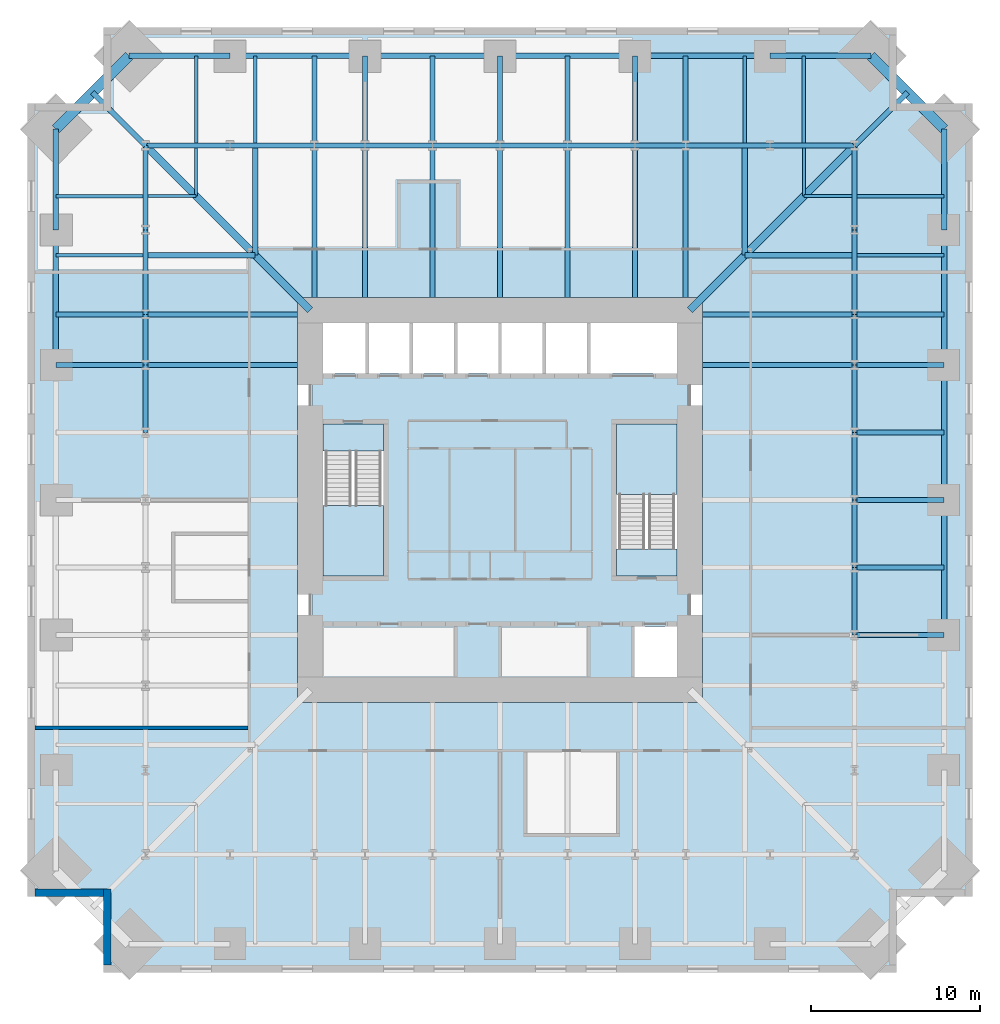
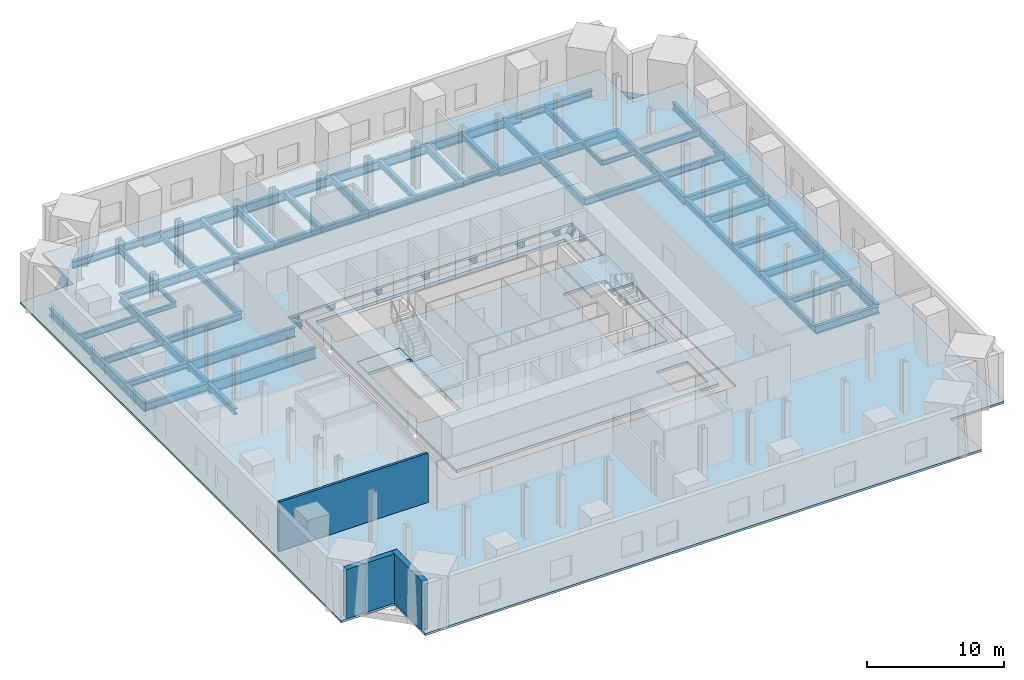
# One storey, part 2 of 8: 81 beams, 6 slabs, 3 walls, 2 elements without a shape of their own.
"""IFC4 building model written with IfcOpenShell, lengths in metres."""

import ifcopenshell
import ifcopenshell.guid

model = None  # the IFC model being written
_history = None  # IfcOwnerHistory: only IFC2X3 demands one
_inside = {}  # id of a spatial element -> (the spatial element, [elements in it])
_under = {}  # id of a project, library or spatial element -> (it, [spatial elements below it])
_declared = {}  # id of a project -> (the project, [libraries it declares])
_typed = {}  # id of a type object -> (the type object, [elements of that type])
_made_of = {}  # id of a material, layer set ... -> (it, [elements and type objects made of it])


def new_model(schema):
    """Start an empty IFC model of exactly this schema.

    Asked for "IFC4X3", IfcOpenShell would pick the latest addendum, in which some entities
    have other attributes; the version numbers below select the first issue.
    IFC2X3 requires an IfcOwnerHistory on every rooted entity: one is made here for all.
    """
    global model, _history
    if schema == "IFC4X3":
        model = ifcopenshell.file(schema_version=(4, 3, 0, 0))
    else:
        model = ifcopenshell.file(schema=schema)
    _inside.clear()
    _under.clear()
    _declared.clear()
    _typed.clear()
    _made_of.clear()
    _history = None
    if model.schema == "IFC2X3":
        org = make("IfcOrganization", Name="unknown")
        user = make(
            "IfcPersonAndOrganization",
            ThePerson=make("IfcPerson", FamilyName="unknown"),
            TheOrganization=org,
        )
        app = make(
            "IfcApplication",
            ApplicationDeveloper=org,
            Version="unknown",
            ApplicationFullName="unknown",
            ApplicationIdentifier="unknown",
        )
        _history = make(
            "IfcOwnerHistory",
            OwningUser=user,
            OwningApplication=app,
            ChangeAction="ADDED",
            CreationDate=0,
        )
    return model


def make(cls, **values):
    """One entity of the class cls with the attributes given. An attribute that is None is left unset."""
    return model.create_entity(
        cls, **{name: value for name, value in values.items() if value is not None}
    )


def rooted(cls, **values):
    """An entity with a GlobalId (a new one), such as an element, a storey or a relation."""
    return make(cls, GlobalId=ifcopenshell.guid.new(), OwnerHistory=_history, **values)


def si_unit(unit_type, name, prefix=None):
    """IfcSIUnit, for example si_unit("LENGTHUNIT", "METRE", prefix="MILLI")."""
    return make("IfcSIUnit", UnitType=unit_type, Prefix=prefix, Name=name)


def assignment(units):
    """IfcUnitAssignment: the units of a project."""
    return None if units is None else make("IfcUnitAssignment", Units=units)


def point(xyz):
    """IfcCartesianPoint."""
    return None if xyz is None else make("IfcCartesianPoint", Coordinates=xyz)


def direction(xyz):
    """IfcDirection."""
    return None if xyz is None else make("IfcDirection", DirectionRatios=xyz)


def frame(location, z_axis=None, x_axis=None):
    """IfcAxis2Placement3D, a coordinate frame: its origin and axes. An axis left out is left unset."""
    return make(
        "IfcAxis2Placement3D",
        Location=point(location),
        Axis=direction(z_axis),
        RefDirection=direction(x_axis),
    )


def frame_2d(location, x_axis=None):
    """IfcAxis2Placement2D, a coordinate frame in the plane: its origin and x axis."""
    return make(
        "IfcAxis2Placement2D", Location=point(location), RefDirection=direction(x_axis)
    )


def origin():
    """The frame at (0, 0, 0) with its axes left unset."""
    return frame((0.0, 0.0, 0.0))


def origin_2d():
    """The frame at (0, 0) in the plane with its x axis left unset."""
    return frame_2d((0.0, 0.0))


def place(relative_to, where):
    """IfcLocalPlacement: puts the frame where relative to a parent placement (None: the world)."""
    return make(
        "IfcLocalPlacement", PlacementRelTo=relative_to, RelativePlacement=where
    )


def context(
    kind, dimensions, precision=None, world=None, true_north=None, identifier=None
):
    """IfcGeometricRepresentationContext, for example the 3D "Model" context."""
    return make(
        "IfcGeometricRepresentationContext",
        ContextIdentifier=identifier,
        ContextType=kind,
        CoordinateSpaceDimension=dimensions,
        Precision=precision,
        WorldCoordinateSystem=world,
        TrueNorth=true_north,
    )


def subcontext(parent, identifier, kind, view, scale=None):
    """IfcGeometricRepresentationSubContext, for example "Body" below "Model"."""
    return make(
        "IfcGeometricRepresentationSubContext",
        ContextIdentifier=identifier,
        ContextType=kind,
        ParentContext=parent,
        TargetScale=scale,
        TargetView=view,
    )


def project(units=None, contexts=None):
    """IfcProject with its units and contexts."""
    return rooted(
        "IfcProject",
        Name="project",
        RepresentationContexts=contexts,
        UnitsInContext=assignment(units),
    )


def spatial(cls, under=None, at=None, **own):
    """A site, building, storey or space (cls), placed at a placement, below another one or the project."""
    s = rooted(cls, ObjectPlacement=at, **own)
    if under is not None:
        _under.setdefault(under.id(), (under, []))[1].append(s)
    return s


def polyline(points):
    """IfcPolyline through the points."""
    return make("IfcPolyline", Points=[point(p) for p in points])


def profile(cls, at=None, kind="AREA", **sizes):
    """A parametric profile (cls). Its sizes go by their IFC names, for example OverallWidth=200.0."""
    return make(cls, ProfileType=kind, Position=at, **sizes)


def rectangle(**sizes):
    """IfcRectangleProfileDef."""
    return profile("IfcRectangleProfileDef", **sizes)


def hollow_rectangle(**sizes):
    """IfcRectangleHollowProfileDef."""
    return profile("IfcRectangleHollowProfileDef", **sizes)


def i_section(**sizes):
    """IfcIShapeProfileDef."""
    return profile("IfcIShapeProfileDef", **sizes)


def outline(outer, holes=None, kind="AREA"):
    """IfcArbitraryClosedProfileDef: a profile drawn as a closed curve; with holes, ...WithVoids."""
    if holes is None:
        return make("IfcArbitraryClosedProfileDef", ProfileType=kind, OuterCurve=outer)
    return make(
        "IfcArbitraryProfileDefWithVoids",
        ProfileType=kind,
        OuterCurve=outer,
        InnerCurves=holes,
    )


def extrude(swept, where, along, depth):
    """IfcExtrudedAreaSolid: the profile swept, set in the frame where, extruded along a direction by depth."""
    return make(
        "IfcExtrudedAreaSolid",
        SweptArea=swept,
        Position=where,
        ExtrudedDirection=direction(along),
        Depth=depth,
    )


def shape(context_of_items, identifier, shape_type, items):
    """IfcShapeRepresentation: the items that make up one representation, for example the "Body"."""
    return make(
        "IfcShapeRepresentation",
        ContextOfItems=context_of_items,
        RepresentationIdentifier=identifier,
        RepresentationType=shape_type,
        Items=items,
    )


def material(Name=None, Category=None):
    """IfcMaterial."""
    return make("IfcMaterial", Name=Name, Category=Category)


def layer(
    of_material, thickness, ventilated=None, Name=None, Category=None, Priority=None
):
    """IfcMaterialLayer: one layer of a wall or slab, of a material (None: an air gap)."""
    return make(
        "IfcMaterialLayer",
        Material=of_material,
        LayerThickness=thickness,
        IsVentilated=ventilated,
        Name=Name,
        Category=Category,
        Priority=Priority,
    )


def layer_set(layers, Name=None):
    """IfcMaterialLayerSet."""
    return make("IfcMaterialLayerSet", MaterialLayers=layers, LayerSetName=Name)


def material_profile(
    of_material, cross_section, Name=None, Category=None, Priority=None
):
    """IfcMaterialProfile: a cross section and its material."""
    return make(
        "IfcMaterialProfile",
        Name=Name,
        Material=of_material,
        Profile=cross_section,
        Priority=Priority,
        Category=Category,
    )


def profile_set(profiles, Name=None, composite=None):
    """IfcMaterialProfileSet."""
    return make(
        "IfcMaterialProfileSet",
        Name=Name,
        MaterialProfiles=profiles,
        CompositeProfile=composite,
    )


def made_of(thing, what):
    """Note that an element or type object is made of a material, layer set ...; save() writes the relation."""
    if what is not None:
        _made_of.setdefault(what.id(), (what, []))[1].append(thing)
    return thing


def type_object(cls, material=None, **own):
    """A type object (cls), such as IfcWallType, which elements share."""
    return made_of(rooted(cls, **own), material)


def element(
    cls,
    number,
    at=None,
    inside=None,
    cuts=None,
    type_object=None,
    material=None,
    context=None,
    identifier="Body",
    shape_type=None,
    held_by="IfcProductDefinitionShape",
    body=None,
    shapes=None,
    **own,
):
    """One element of the class cls, such as IfcWall. Its Tag is "e" and its number.

    at: its placement. inside: the storey or other place that contains it. cuts: it is an
    opening in that element (IfcRelVoidsElement). A single representation is given by context,
    identifier, shape_type and body (its items); several are given by shapes. held_by: the class
    of the entity that holds the representations. save() writes the other relations.
    """
    e = rooted(cls, Tag="e%d" % number, ObjectPlacement=at, **own)
    if body is not None:
        shapes = [shape(context, identifier, shape_type, body)]
    if shapes is not None:
        e.Representation = make(held_by, Representations=shapes)
    if inside is not None:
        _inside.setdefault(inside.id(), (inside, []))[1].append(e)
    if cuts is not None:
        rooted(
            "IfcRelVoidsElement", RelatingBuildingElement=cuts, RelatedOpeningElement=e
        )
    if type_object is not None:
        _typed.setdefault(type_object.id(), (type_object, []))[1].append(e)
    return made_of(e, material)


def aggregate(whole, parts):
    """IfcRelAggregates: a whole, such as a stair, and the parts it consists of."""
    return rooted("IfcRelAggregates", RelatingObject=whole, RelatedObjects=parts)


def save(model, path):
    """Write the relations noted so far, then the file.

    IfcRelAggregates (storeys below a building ...), IfcRelContainedInSpatialStructure (elements
    in a storey), IfcRelDefinesByType, IfcRelAssociatesMaterial and IfcRelDeclares: one each for
    every whole, place, type object, material and project.
    """
    for whole, parts in _under.values():
        aggregate(whole, parts)
    for where, things in _inside.values():
        rooted(
            "IfcRelContainedInSpatialStructure",
            RelatedElements=things,
            RelatingStructure=where,
        )
    for kind, things in _typed.values():
        rooted("IfcRelDefinesByType", RelatedObjects=things, RelatingType=kind)
    for what, things in _made_of.values():
        rooted("IfcRelAssociatesMaterial", RelatedObjects=things, RelatingMaterial=what)
    for by, libraries in _declared.values():
        rooted("IfcRelDeclares", RelatingContext=by, RelatedDefinitions=libraries)
    model.write(path)


model = new_model("IFC4")

# Units and contexts
model_context = context("Model", 3, precision=1e-05, world=origin(), true_north=direction((0.0, 1.0)))
body_context = subcontext(model_context, "Body", "Model", "MODEL_VIEW")
ifc_project = project(units=[si_unit("LENGTHUNIT", "METRE"), si_unit("AREAUNIT", "SQUARE_METRE"), si_unit("VOLUMEUNIT", "CUBIC_METRE"), si_unit("PLANEANGLEUNIT", "RADIAN"), si_unit("MASSUNIT", "GRAM", prefix="KILO")], contexts=[model_context])

# Site, building, storey
site_placement = place(None, origin())
site = spatial("IfcSite", under=ifc_project, at=site_placement, CompositionType="ELEMENT")
building_placement = place(site_placement, origin())
building = spatial("IfcBuilding", under=site, at=building_placement, Name="Peilmerk Tower", CompositionType="ELEMENT")
storey_placement = place(building_placement, frame((0.0, 0.0, 113.60009765625)))
storey = spatial("IfcBuildingStorey", under=building, at=storey_placement, Name="L22", CompositionType="ELEMENT", Elevation=113.60009765625)

# Beams
ifc_material_1 = material(Name="Steel S355", Category="steel")
ifc_material_profile_1 = material_profile(ifc_material_1, i_section(OverallWidth=0.219970703125, OverallDepth=0.60009765625, WebThickness=0.011962890625, FlangeThickness=0.01904296875, at=origin_2d()), Name="IPE 600")
ifc_profile_set_1 = profile_set([ifc_material_profile_1], Name="Steel S355")
beam_type_1 = type_object("IfcBeamType", Name="B10 IPE 600 floor beam", PredefinedType="BEAM", material=ifc_profile_set_1)
for number, where, z_axis, x_axis, name in (
    (1, (14.5, 21.152099609375, -0.5), (0.0, 1.0, 0.0), (-1.0, 0.0, 0.0), "Floor beam L22"),
    (2, (21.152099609375, 14.5, -0.5), (1.0, 0.0, 0.0), (0.0, 1.0, 0.0), "Floor beam L22"),
    (3, (18.0, 21.152099609375, -0.5), (0.0, 1.0, 0.0), (-1.0, 0.0, 0.0), "Floor beam L22"),
    (4, (21.152099609375, 18.0, -0.5), (1.0, 0.0, 0.0), (0.0, 1.0, 0.0), "Floor beam L22"),
    (5, (-14.5, 21.152099609375, -0.5), (0.0, 1.0, 0.0), (-1.0, 0.0, 0.0), "Floor beam L22"),
    (6, (-21.152099609375, 14.5, -0.5), (-1.0, 0.0, 0.0), (0.0, -1.0, 0.0), "Floor beam L22"),
    (7, (-18.0, 21.152099609375, -0.5), (0.0, 1.0, 0.0), (-1.0, 0.0, 0.0), "Floor beam L22"),
    (8, (-21.152099609375, 18.0, -0.5), (-1.0, 0.0, 0.0), (0.0, -1.0, 0.0), "Floor beam L22"),
):
    element("IfcBeam", number, at=place(storey_placement, frame(where, z_axis=z_axis, x_axis=x_axis)), inside=storey, type_object=beam_type_1, Name=name, PredefinedType="BEAM", context=body_context, shape_type="SweptSolid", body=[
        extrude(i_section(OverallWidth=0.219970703125, OverallDepth=0.60009765625, WebThickness=0.011962890625, FlangeThickness=0.01904296875, at=origin_2d()), origin(), (0.0, 0.0, 1.0), 5.1640625),
    ])
ifc_material_profile_2 = material_profile(ifc_material_1, i_section(OverallWidth=0.302978515625, OverallDepth=0.81396484375, WebThickness=0.02099609375, FlangeThickness=0.0400390625, at=origin_2d()), Name="HEM 800")
ifc_profile_set_2 = profile_set([ifc_material_profile_2], Name="Steel S355")
beam_type_2 = type_object("IfcBeamType", Name="B15 HEM 800 edge beam", PredefinedType="SPANDREL", material=ifc_profile_set_2)
for number, where, z_axis, x_axis, name in (
    (9, (16.0, 26.316162109375, -0.607177734375), (-1.0, 0.0, 0.0), (0.0, -1.0, 0.0), "Edge beam L22"),
    (10, (8.0, 26.316162109375, -0.607177734375), (-1.0, 0.0, 0.0), (0.0, -1.0, 0.0), "Edge beam L22"),
    (11, (0.0, 26.316162109375, -0.607177734375), (-1.0, 0.0, 0.0), (0.0, -1.0, 0.0), "Edge beam L22"),
    (12, (-8.0, 26.316162109375, -0.607177734375), (-1.0, 0.0, 0.0), (0.0, -1.0, 0.0), "Edge beam L22"),
    (13, (26.316162109375, -8.0, -0.607177734375), (0.0, 1.0, 0.0), (-1.0, 0.0, 0.0), "Edge beam L22"),
    (14, (26.316162109375, 0.0, -0.607177734375), (0.0, 1.0, 0.0), (-1.0, 0.0, 0.0), "Edge beam L22"),
    (15, (26.316162109375, 8.0, -0.607177734375), (0.0, 1.0, 0.0), (-1.0, 0.0, 0.0), "Edge beam L22"),
    (16, (-26.316162109375, 16.0, -0.607177734375), (0.0, -1.0, 0.0), (1.0, 0.0, 0.0), "Edge beam L22"),
):
    element("IfcBeam", number, at=place(storey_placement, frame(where, z_axis=z_axis, x_axis=x_axis)), inside=storey, type_object=beam_type_2, Name=name, PredefinedType="SPANDREL", context=body_context, shape_type="SweptSolid", body=[
        extrude(i_section(OverallWidth=0.302978515625, OverallDepth=0.81396484375, WebThickness=0.02099609375, FlangeThickness=0.0400390625, at=origin_2d()), origin(), (0.0, 0.0, 1.0), 8.0),
    ])
ifc_material_profile_3 = material_profile(ifc_material_1, i_section(OverallWidth=0.300048828125, OverallDepth=0.68994140625, WebThickness=0.014404296875, FlangeThickness=0.027099609375, at=origin_2d()), Name="HEA 700")
ifc_profile_set_3 = profile_set([ifc_material_profile_3], Name="Steel S355")
beam_type_3 = type_object("IfcBeamType", Name="B16 HEA 700 floor beam", PredefinedType="BEAM", material=ifc_profile_set_3)
for number, where, z_axis, x_axis, name in (
    (17, (8.0, 21.0, -0.545166015625), (0.0, 1.0, 0.0), (-1.0, 0.0, 0.0), "Floor girder L22"),
    (18, (0.0, 21.0, -0.545166015625), (0.0, 1.0, 0.0), (-1.0, 0.0, 0.0), "Floor girder L22"),
    (19, (-8.0, 21.0, -0.545166015625), (0.0, 1.0, 0.0), (-1.0, 0.0, 0.0), "Floor girder L22"),
    (20, (21.0, -8.0, -0.545166015625), (1.0, 0.0, 0.0), (0.0, 1.0, 0.0), "Floor girder L22"),
    (21, (21.0, 0.0, -0.545166015625), (1.0, 0.0, 0.0), (0.0, 1.0, 0.0), "Floor girder L22"),
    (22, (21.0, 8.0, -0.545166015625), (1.0, 0.0, 0.0), (0.0, 1.0, 0.0), "Floor girder L22"),
    (23, (-21.0, 8.0, -0.545166015625), (-1.0, 0.0, 0.0), (0.0, -1.0, 0.0), "Floor girder L22"),
):
    element("IfcBeam", number, at=place(storey_placement, frame(where, z_axis=z_axis, x_axis=x_axis)), inside=storey, type_object=beam_type_3, Name=name, PredefinedType="BEAM", context=body_context, shape_type="SweptSolid", body=[
        extrude(i_section(OverallWidth=0.300048828125, OverallDepth=0.68994140625, WebThickness=0.014404296875, FlangeThickness=0.027099609375, at=origin_2d()), origin(), (0.0, 0.0, 1.0), 5.316162109375),
    ])
ifc_material_profile_4 = material_profile(ifc_material_1, i_section(OverallWidth=0.303955078125, OverallDepth=0.716064453125, WebThickness=0.02099609375, FlangeThickness=0.0400390625, at=origin_2d()), Name="HEM 700")
ifc_profile_set_4 = profile_set([ifc_material_profile_4], Name="Steel S355")
beam_type_4 = type_object("IfcBeamType", Name="B19 HEM 700 ring girder", PredefinedType="BEAM", material=ifc_profile_set_4)
for number, where, z_axis, x_axis, name in (
    (24, (21.0, 21.0, -0.55810546875), (-1.0, 0.0, 0.0), (0.0, -1.0, 0.0), "Ring girder L22"),
    (25, (16.0, 21.0, -0.55810546875), (-1.0, 0.0, 0.0), (0.0, -1.0, 0.0), "Ring girder L22"),
    (26, (-11.0, 21.0, -0.55810546875), (-1.0, 0.0, 0.0), (0.0, -1.0, 0.0), "Ring girder L22"),
    (27, (-16.0, 21.0, -0.55810546875), (-1.0, 0.0, 0.0), (0.0, -1.0, 0.0), "Ring girder L22"),
    (28, (21.0, 11.0, -0.55810546875), (0.0, 1.0, 0.0), (-1.0, 0.0, 0.0), "Ring girder L22"),
    (29, (21.0, 16.0, -0.55810546875), (0.0, 1.0, 0.0), (-1.0, 0.0, 0.0), "Ring girder L22"),
    (30, (-21.0, 21.0, -0.55810546875), (0.0, -1.0, 0.0), (1.0, 0.0, 0.0), "Ring girder L22"),
    (31, (-21.0, 16.0, -0.55810546875), (0.0, -1.0, 0.0), (1.0, 0.0, 0.0), "Ring girder L22"),
):
    element("IfcBeam", number, at=place(storey_placement, frame(where, z_axis=z_axis, x_axis=x_axis)), inside=storey, type_object=beam_type_4, Name=name, PredefinedType="BEAM", context=body_context, shape_type="SweptSolid", body=[
        extrude(i_section(OverallWidth=0.303955078125, OverallDepth=0.716064453125, WebThickness=0.02099609375, FlangeThickness=0.0400390625, at=origin_2d()), origin(), (0.0, 0.0, 1.0), 5.0),
    ])
ifc_material_2 = material(Name="Steel S460", Category="steel")
ifc_material_profile_5 = material_profile(ifc_material_2, hollow_rectangle(XDim=0.60009765625, YDim=0.60009765625, WallThickness=0.06005859375, at=origin_2d()), Name="BOX 600x600x60")
ifc_profile_set_5 = profile_set([ifc_material_profile_5], Name="Steel S460")
beam_type_5 = type_object("IfcBeamType", Name="B20 BOX 600x600x60 notch beam", PredefinedType="SPANDREL", material=ifc_profile_set_5)
for number, where, z_axis, x_axis, name in (
    (32, (21.966064453125, 26.316162109375, -0.5), (0.707106781187, -0.707106781187, 0.0), (0.707106781187, 0.707106781187, 0.0), "Notch beam L22"),
    (33, (-26.316162109375, 21.966064453125, -0.5), (0.707106781187, 0.707106781187, 0.0), (-0.707106781187, 0.707106781187, 0.0), "Notch beam L22"),
):
    element("IfcBeam", number, at=place(storey_placement, frame(where, z_axis=z_axis, x_axis=x_axis)), inside=storey, type_object=beam_type_5, Name=name, PredefinedType="SPANDREL", context=body_context, shape_type="SweptSolid", body=[
        extrude(hollow_rectangle(XDim=0.60009765625, YDim=0.60009765625, WallThickness=0.06005859375, at=origin_2d()), origin(), (0.0, 0.0, 1.0), 6.15185546875),
    ])
ifc_material_profile_6 = material_profile(ifc_material_1, i_section(OverallWidth=0.302001953125, OverallDepth=1.008056640625, WebThickness=0.02099609375, FlangeThickness=0.0400390625, at=origin_2d()), Name="HEM 1000")
ifc_profile_set_6 = profile_set([ifc_material_profile_6], Name="Steel S355")
beam_type_6 = type_object("IfcBeamType", Name="B24 HEM 1000 floor girder", PredefinedType="BEAM", material=ifc_profile_set_6)
for number, where, z_axis, x_axis, name in (
    (34, (8.0, 12.0, -0.7041015625), (0.0, 1.0, 0.0), (-1.0, 0.0, 0.0), "Floor girder L22"),
    (35, (0.0, 12.0, -0.7041015625), (0.0, 1.0, 0.0), (-1.0, 0.0, 0.0), "Floor girder L22"),
    (36, (-8.0, 12.0, -0.7041015625), (0.0, 1.0, 0.0), (-1.0, 0.0, 0.0), "Floor girder L22"),
    (37, (12.0, 8.0, -0.7041015625), (1.0, 0.0, 0.0), (0.0, 1.0, 0.0), "Floor girder L22"),
    (38, (-12.0, 8.0, -0.7041015625), (-1.0, 0.0, 0.0), (0.0, -1.0, 0.0), "Floor girder L22"),
):
    element("IfcBeam", number, at=place(storey_placement, frame(where, z_axis=z_axis, x_axis=x_axis)), inside=storey, type_object=beam_type_6, Name=name, PredefinedType="BEAM", context=body_context, shape_type="SweptSolid", body=[
        extrude(i_section(OverallWidth=0.302001953125, OverallDepth=1.008056640625, WebThickness=0.02099609375, FlangeThickness=0.0400390625, at=origin_2d()), origin(), (0.0, 0.0, 1.0), 9.0),
    ])
ifc_material_profile_7 = material_profile(ifc_material_1, i_section(OverallWidth=0.300048828125, OverallDepth=0.590087890625, WebThickness=0.012939453125, FlangeThickness=0.02490234375, at=origin_2d()), Name="HEA 600")
ifc_profile_set_7 = profile_set([ifc_material_profile_7], Name="Steel S355")
beam_type_7 = type_object("IfcBeamType", Name="B27 HEA 600 floor beam", PredefinedType="BEAM", material=ifc_profile_set_7)
beam_1_placement = place(storey_placement, frame((21.0, 21.0, -0.4951171875), z_axis=(0.707106781187, 0.707106781187, 0.0), x_axis=(-0.707106781187, 0.707106781187, 0.0)))
element("IfcBeam", 39, at=beam_1_placement, inside=storey, type_object=beam_type_7, Name="Corner girder L22", PredefinedType="BEAM", context=body_context, shape_type="SweptSolid", body=[
    extrude(i_section(OverallWidth=0.300048828125, OverallDepth=0.590087890625, WebThickness=0.012939453125, FlangeThickness=0.02490234375, at=origin_2d()), origin(), (0.0, 0.0, 1.0), 4.442138671875),
])
for number, where, z_axis, x_axis, name in (
    (40, (14.5, 14.5, -0.4951171875), (0.0, 1.0, 0.0), (-1.0, 0.0, 0.0), "Floor beam L22"),
    (41, (14.5, 14.5, -0.4951171875), (1.0, 0.0, 0.0), (0.0, 1.0, 0.0), "Floor beam L22"),
):
    element("IfcBeam", number, at=place(storey_placement, frame(where, z_axis=z_axis, x_axis=x_axis)), inside=storey, type_object=beam_type_7, Name=name, PredefinedType="BEAM", context=body_context, shape_type="SweptSolid", body=[
        extrude(i_section(OverallWidth=0.300048828125, OverallDepth=0.590087890625, WebThickness=0.012939453125, FlangeThickness=0.02490234375, at=origin_2d()), origin(), (0.0, 0.0, 1.0), 6.347900390625),
    ])
beam_2_placement = place(storey_placement, frame((-21.0, 21.0, -0.4951171875), z_axis=(-0.707106781187, 0.707106781187, 0.0), x_axis=(-0.707106781187, -0.707106781187, 0.0)))
element("IfcBeam", 42, at=beam_2_placement, inside=storey, type_object=beam_type_7, Name="Corner girder L22", PredefinedType="BEAM", context=body_context, shape_type="SweptSolid", body=[
    extrude(i_section(OverallWidth=0.300048828125, OverallDepth=0.590087890625, WebThickness=0.012939453125, FlangeThickness=0.02490234375, at=origin_2d()), origin(), (0.0, 0.0, 1.0), 4.442138671875),
])
for number, where, z_axis, x_axis, name in (
    (43, (-14.5, 14.5, -0.4951171875), (0.0, 1.0, 0.0), (-1.0, 0.0, 0.0), "Floor beam L22"),
    (44, (-14.5, 14.5, -0.4951171875), (-1.0, 0.0, 0.0), (0.0, -1.0, 0.0), "Floor beam L22"),
):
    element("IfcBeam", number, at=place(storey_placement, frame(where, z_axis=z_axis, x_axis=x_axis)), inside=storey, type_object=beam_type_7, Name=name, PredefinedType="BEAM", context=body_context, shape_type="SweptSolid", body=[
        extrude(i_section(OverallWidth=0.300048828125, OverallDepth=0.590087890625, WebThickness=0.012939453125, FlangeThickness=0.02490234375, at=origin_2d()), origin(), (0.0, 0.0, 1.0), 6.347900390625),
    ])
ifc_material_profile_8 = material_profile(ifc_material_1, i_section(OverallWidth=0.179931640625, OverallDepth=0.39990234375, WebThickness=0.008544921875, FlangeThickness=0.013427734375, at=origin_2d()), Name="IPE 400")
ifc_profile_set_8 = profile_set([ifc_material_profile_8], Name="Steel S355")
beam_type_8 = type_object("IfcBeamType", Name="B28 IPE 400 floor beam", PredefinedType="BEAM", material=ifc_profile_set_8)
for number, where, z_axis, x_axis, name in (
    (45, (18.0, 18.0, -0.400146484375), (0.0, 1.0, 0.0), (-1.0, 0.0, 0.0), "Floor beam L22"),
    (46, (18.0, 18.0, -0.400146484375), (1.0, 0.0, 0.0), (0.0, 1.0, 0.0), "Floor beam L22"),
    (47, (-18.0, 18.0, -0.400146484375), (0.0, 1.0, 0.0), (-1.0, 0.0, 0.0), "Floor beam L22"),
    (48, (-18.0, 18.0, -0.400146484375), (-1.0, 0.0, 0.0), (0.0, -1.0, 0.0), "Floor beam L22"),
):
    element("IfcBeam", number, at=place(storey_placement, frame(where, z_axis=z_axis, x_axis=x_axis)), inside=storey, type_object=beam_type_8, Name=name, PredefinedType="BEAM", context=body_context, shape_type="SweptSolid", body=[
        extrude(i_section(OverallWidth=0.179931640625, OverallDepth=0.39990234375, WebThickness=0.008544921875, FlangeThickness=0.013427734375, at=origin_2d()), origin(), (0.0, 0.0, 1.0), 2.847900390625),
    ])
ifc_material_profile_9 = material_profile(ifc_material_1, i_section(OverallWidth=0.300048828125, OverallDepth=0.489990234375, WebThickness=0.011962890625, FlangeThickness=0.02294921875, at=origin_2d()), Name="HEA 500")
ifc_profile_set_9 = profile_set([ifc_material_profile_9], Name="Steel S355")
beam_type_9 = type_object("IfcBeamType", Name="B29 HEA 500 floor beam", PredefinedType="BEAM", material=ifc_profile_set_9)
for number, where, z_axis, x_axis, name in (
    (49, (11.0, 21.0, -0.445068359375), (0.0, 1.0, 0.0), (-1.0, 0.0, 0.0), "Floor beam L22"),
    (50, (4.0, 21.0, -0.445068359375), (0.0, 1.0, 0.0), (-1.0, 0.0, 0.0), "Floor beam L22"),
    (51, (-4.0, 21.0, -0.445068359375), (0.0, 1.0, 0.0), (-1.0, 0.0, 0.0), "Floor beam L22"),
    (52, (-11.0, 21.0, -0.445068359375), (0.0, 1.0, 0.0), (-1.0, 0.0, 0.0), "Floor beam L22"),
    (53, (21.0, -4.0, -0.445068359375), (1.0, 0.0, 0.0), (0.0, 1.0, 0.0), "Floor beam L22"),
    (54, (21.0, 4.0, -0.445068359375), (1.0, 0.0, 0.0), (0.0, 1.0, 0.0), "Floor beam L22"),
    (55, (21.0, 11.0, -0.445068359375), (1.0, 0.0, 0.0), (0.0, 1.0, 0.0), "Floor beam L22"),
    (56, (-21.0, 11.0, -0.445068359375), (-1.0, 0.0, 0.0), (0.0, -1.0, 0.0), "Floor beam L22"),
):
    element("IfcBeam", number, at=place(storey_placement, frame(where, z_axis=z_axis, x_axis=x_axis)), inside=storey, type_object=beam_type_9, Name=name, PredefinedType="BEAM", context=body_context, shape_type="SweptSolid", body=[
        extrude(i_section(OverallWidth=0.300048828125, OverallDepth=0.489990234375, WebThickness=0.011962890625, FlangeThickness=0.02294921875, at=origin_2d()), origin(), (0.0, 0.0, 1.0), 5.316162109375),
    ])
ifc_material_profile_10 = material_profile(ifc_material_1, i_section(OverallWidth=0.304931640625, OverallDepth=0.6201171875, WebThickness=0.02099609375, FlangeThickness=0.0400390625, at=origin_2d()), Name="HEM 600")
ifc_profile_set_10 = profile_set([ifc_material_profile_10], Name="Steel S355")
beam_type_10 = type_object("IfcBeamType", Name="B31 HEM 600 edge beam", PredefinedType="SPANDREL", material=ifc_profile_set_10)
for number, where, z_axis, x_axis, name in (
    (57, (21.966064453125, 26.316162109375, -0.510009765625), (-1.0, 0.0, 0.0), (0.0, -1.0, 0.0), "Edge beam L22"),
    (58, (-16.0, 26.316162109375, -0.510009765625), (-1.0, 0.0, 0.0), (0.0, -1.0, 0.0), "Edge beam L22"),
    (59, (26.316162109375, 16.0, -0.510009765625), (0.0, 1.0, 0.0), (-1.0, 0.0, 0.0), "Edge beam L22"),
    (60, (-26.316162109375, 21.966064453125, -0.510009765625), (0.0, -1.0, 0.0), (1.0, 0.0, 0.0), "Edge beam L22"),
):
    element("IfcBeam", number, at=place(storey_placement, frame(where, z_axis=z_axis, x_axis=x_axis)), inside=storey, type_object=beam_type_10, Name=name, PredefinedType="SPANDREL", context=body_context, shape_type="SweptSolid", body=[
        extrude(i_section(OverallWidth=0.304931640625, OverallDepth=0.6201171875, WebThickness=0.02099609375, FlangeThickness=0.0400390625, at=origin_2d()), origin(), (0.0, 0.0, 1.0), 5.966064453125),
    ])
ifc_material_profile_11 = material_profile(ifc_material_1, i_section(OverallWidth=0.300048828125, OverallDepth=0.889892578125, WebThickness=0.01611328125, FlangeThickness=0.030029296875, at=origin_2d()), Name="HEA 900")
ifc_profile_set_11 = profile_set([ifc_material_profile_11], Name="Steel S355")
beam_type_11 = type_object("IfcBeamType", Name="B4 HEA 900 floor beam", PredefinedType="BEAM", material=ifc_profile_set_11)
for number, where, z_axis, x_axis, name in (
    (61, (11.0, 12.0, -0.64501953125), (0.0, 1.0, 0.0), (-1.0, 0.0, 0.0), "Floor beam L22"),
    (62, (4.0, 12.0, -0.64501953125), (0.0, 1.0, 0.0), (-1.0, 0.0, 0.0), "Floor beam L22"),
    (63, (-4.0, 12.0, -0.64501953125), (0.0, 1.0, 0.0), (-1.0, 0.0, 0.0), "Floor beam L22"),
    (64, (-11.0, 12.0, -0.64501953125), (0.0, 1.0, 0.0), (-1.0, 0.0, 0.0), "Floor beam L22"),
    (65, (12.0, 11.0, -0.64501953125), (1.0, 0.0, 0.0), (0.0, 1.0, 0.0), "Floor beam L22"),
    (66, (-12.0, 11.0, -0.64501953125), (-1.0, 0.0, 0.0), (0.0, -1.0, 0.0), "Floor beam L22"),
):
    element("IfcBeam", number, at=place(storey_placement, frame(where, z_axis=z_axis, x_axis=x_axis)), inside=storey, type_object=beam_type_11, Name=name, PredefinedType="BEAM", context=body_context, shape_type="SweptSolid", body=[
        extrude(i_section(OverallWidth=0.300048828125, OverallDepth=0.889892578125, WebThickness=0.01611328125, FlangeThickness=0.030029296875, at=origin_2d()), origin(), (0.0, 0.0, 1.0), 9.0),
    ])
ifc_material_profile_12 = material_profile(ifc_material_1, i_section(OverallWidth=0.305908203125, OverallDepth=0.52392578125, WebThickness=0.02099609375, FlangeThickness=0.0400390625, at=origin_2d()), Name="HEM 500")
ifc_profile_set_12 = profile_set([ifc_material_profile_12], Name="Steel S355")
beam_type_12 = type_object("IfcBeamType", Name="B7 HEM 500 ring girder", PredefinedType="BEAM", material=ifc_profile_set_12)
beam_3_placement = place(storey_placement, frame((11.0, 21.0, -0.462158203125), z_axis=(-1.0, 0.0, 0.0), x_axis=(0.0, -1.0, 0.0)))
element("IfcBeam", 67, at=beam_3_placement, inside=storey, type_object=beam_type_12, Name="Ring girder L22", PredefinedType="BEAM", context=body_context, shape_type="SweptSolid", body=[
    extrude(i_section(OverallWidth=0.305908203125, OverallDepth=0.52392578125, WebThickness=0.02099609375, FlangeThickness=0.0400390625, at=origin_2d()), origin(), (0.0, 0.0, 1.0), 3.0),
])
for number, where, z_axis, x_axis, name in (
    (68, (8.0, 21.0, -0.462158203125), (-1.0, 0.0, 0.0), (0.0, -1.0, 0.0), "Ring girder L22"),
    (69, (4.0, 21.0, -0.462158203125), (-1.0, 0.0, 0.0), (0.0, -1.0, 0.0), "Ring girder L22"),
    (70, (0.0, 21.0, -0.462158203125), (-1.0, 0.0, 0.0), (0.0, -1.0, 0.0), "Ring girder L22"),
    (71, (-4.0, 21.0, -0.462158203125), (-1.0, 0.0, 0.0), (0.0, -1.0, 0.0), "Ring girder L22"),
):
    element("IfcBeam", number, at=place(storey_placement, frame(where, z_axis=z_axis, x_axis=x_axis)), inside=storey, type_object=beam_type_12, Name=name, PredefinedType="BEAM", context=body_context, shape_type="SweptSolid", body=[
        extrude(i_section(OverallWidth=0.305908203125, OverallDepth=0.52392578125, WebThickness=0.02099609375, FlangeThickness=0.0400390625, at=origin_2d()), origin(), (0.0, 0.0, 1.0), 4.0),
    ])
beam_4_placement = place(storey_placement, frame((-8.0, 21.0, -0.462158203125), z_axis=(-1.0, 0.0, 0.0), x_axis=(0.0, -1.0, 0.0)))
element("IfcBeam", 72, at=beam_4_placement, inside=storey, type_object=beam_type_12, Name="Ring girder L22", PredefinedType="BEAM", context=body_context, shape_type="SweptSolid", body=[
    extrude(i_section(OverallWidth=0.305908203125, OverallDepth=0.52392578125, WebThickness=0.02099609375, FlangeThickness=0.0400390625, at=origin_2d()), origin(), (0.0, 0.0, 1.0), 3.0),
])
for number, where, z_axis, x_axis, name in (
    (73, (21.0, -8.0, -0.462158203125), (0.0, 1.0, 0.0), (-1.0, 0.0, 0.0), "Ring girder L22"),
    (74, (21.0, -4.0, -0.462158203125), (0.0, 1.0, 0.0), (-1.0, 0.0, 0.0), "Ring girder L22"),
    (75, (21.0, 0.0, -0.462158203125), (0.0, 1.0, 0.0), (-1.0, 0.0, 0.0), "Ring girder L22"),
    (76, (21.0, 4.0, -0.462158203125), (0.0, 1.0, 0.0), (-1.0, 0.0, 0.0), "Ring girder L22"),
):
    element("IfcBeam", number, at=place(storey_placement, frame(where, z_axis=z_axis, x_axis=x_axis)), inside=storey, type_object=beam_type_12, Name=name, PredefinedType="BEAM", context=body_context, shape_type="SweptSolid", body=[
        extrude(i_section(OverallWidth=0.305908203125, OverallDepth=0.52392578125, WebThickness=0.02099609375, FlangeThickness=0.0400390625, at=origin_2d()), origin(), (0.0, 0.0, 1.0), 4.0),
    ])
for number, where, z_axis, x_axis, name in (
    (77, (21.0, 8.0, -0.462158203125), (0.0, 1.0, 0.0), (-1.0, 0.0, 0.0), "Ring girder L22"),
    (78, (-21.0, 11.0, -0.462158203125), (0.0, -1.0, 0.0), (1.0, 0.0, 0.0), "Ring girder L22"),
):
    element("IfcBeam", number, at=place(storey_placement, frame(where, z_axis=z_axis, x_axis=x_axis)), inside=storey, type_object=beam_type_12, Name=name, PredefinedType="BEAM", context=body_context, shape_type="SweptSolid", body=[
        extrude(i_section(OverallWidth=0.305908203125, OverallDepth=0.52392578125, WebThickness=0.02099609375, FlangeThickness=0.0400390625, at=origin_2d()), origin(), (0.0, 0.0, 1.0), 3.0),
    ])
beam_5_placement = place(storey_placement, frame((-21.0, 8.0, -0.462158203125), z_axis=(0.0, -1.0, 0.0), x_axis=(1.0, 0.0, 0.0)))
element("IfcBeam", 79, at=beam_5_placement, inside=storey, type_object=beam_type_12, Name="Ring girder L22", PredefinedType="BEAM", context=body_context, shape_type="SweptSolid", body=[
    extrude(i_section(OverallWidth=0.305908203125, OverallDepth=0.52392578125, WebThickness=0.02099609375, FlangeThickness=0.0400390625, at=origin_2d()), origin(), (0.0, 0.0, 1.0), 4.0),
])
ifc_material_profile_13 = material_profile(ifc_material_2, i_section(OverallWidth=0.4541015625, OverallDepth=0.569091796875, WebThickness=0.077880859375, FlangeThickness=0.125, at=origin_2d()), Name="HD 400x1086")
ifc_profile_set_13 = profile_set([ifc_material_profile_13], Name="Steel S460")
beam_type_13 = type_object("IfcBeamType", Name="B9 HD 400x1086 corner girder", PredefinedType="BEAM", material=ifc_profile_set_13)
for number, where, z_axis, x_axis, name in (
    (80, (11.25, 11.25, -0.484619140625), (0.707106781187, 0.707106781187, 0.0), (-0.707106781187, 0.707106781187, 0.0), "Corner girder L22"),
    (81, (-11.25, 11.25, -0.484619140625), (-0.707106781187, 0.707106781187, 0.0), (-0.707106781187, -0.707106781187, 0.0), "Corner girder L22"),
):
    element("IfcBeam", number, at=place(storey_placement, frame(where, z_axis=z_axis, x_axis=x_axis)), inside=storey, type_object=beam_type_13, Name=name, PredefinedType="BEAM", context=body_context, shape_type="SweptSolid", body=[
        extrude(i_section(OverallWidth=0.4541015625, OverallDepth=0.569091796875, WebThickness=0.077880859375, FlangeThickness=0.125, at=origin_2d()), origin(), (0.0, 0.0, 1.0), 13.78857421875),
    ])

# Slabs
ifc_material_3 = material(Name="Concrete C55/67", Category="concrete")
ifc_layer_1 = layer(ifc_material_3, 0.25)
ifc_layer_set_1 = layer_set([ifc_layer_1], Name="Concrete C55/67")
slab_type_1 = type_object("IfcSlabType", Name="CS250 250 core floor slab", PredefinedType="FLOOR", material=ifc_layer_set_1)
slab_1_placement = place(storey_placement, frame((0.0, 0.0, -0.25)))
element("IfcSlab", 82, at=slab_1_placement, inside=storey, type_object=slab_type_1, Name="Core slab L22", PredefinedType="FLOOR", context=body_context, shape_type="SweptSolid", body=[
    extrude(outline(polyline([(-11.10009765625, 11.10009765625), (-11.10009765625, -11.10009765625), (11.10009765625, -11.10009765625), (11.10009765625, 11.10009765625), (-11.10009765625, 11.10009765625)]), holes=[polyline([(10.5, 7.5), (-10.5, 7.5), (-10.5, 10.5), (10.5, 10.5), (10.5, 7.5)]), polyline([(7.875, -10.5), (7.875, -7.5), (10.5, -7.5), (10.5, -10.5), (7.875, -10.5)]), polyline([(-10.5, 4.5), (-6.89990234375, 4.5), (-6.89990234375, -4.5), (-10.5, -4.5), (-10.5, 4.5)]), polyline([(10.5, 4.5), (10.5, -4.5), (6.89990234375, -4.5), (6.89990234375, 4.5), (10.5, 4.5)])]), origin(), (0.0, 0.0, 1.0), 0.25),
])
ifc_material_4 = material(Name="Concrete C35/45", Category="concrete")
ifc_layer_2 = layer(ifc_material_4, 0.199951171875)
ifc_layer_set_2 = layer_set([ifc_layer_2], Name="Concrete C35/45")
slab_type_2 = type_object("IfcSlabType", Name="FS200 200 composite floor slab", PredefinedType="FLOOR", material=ifc_layer_set_2)
slab_2_placement = place(storey_placement, frame((0.0, 0.0, -0.2001953125)))
element("IfcSlab", 83, at=slab_2_placement, inside=storey, type_object=slab_type_2, Name="Floor slab L22", PredefinedType="FLOOR", context=body_context, shape_type="SweptSolid", body=[
    extrude(outline(polyline([(-23.5, -28.0), (23.5, -28.0), (23.5, -23.5), (28.0, -23.5), (28.0, 23.5), (23.5, 23.5), (23.5, 28.0), (-23.5, 28.0), (-23.5, 23.5), (-28.0, 23.5), (-28.0, -23.5), (-23.5, -23.5), (-23.5, -28.0)]), holes=[polyline([(12.0, 12.0), (12.0, -12.0), (-12.0, -12.0), (-12.0, 12.0), (12.0, 12.0)])]), origin(), (0.0, 0.0, 1.0), 0.2001953125),
])

# Stair, slab
ifc_material_5 = material(Name="Precast concrete C45/55", Category="concrete")
stair_type_1 = type_object("IfcStairType", Name="ST1 26 risers of 176.9", PredefinedType="HALF_TURN_STAIR", material=ifc_material_5)
stair_1_placement = place(storey_placement, origin())
stair_1 = element("IfcStair", 84, at=stair_1_placement, inside=storey, type_object=stair_type_1, Name="Stair 1 L22 to L23", PredefinedType="HALF_TURN_STAIR")
ifc_layer_3 = layer(ifc_material_4, 0.199951171875)
ifc_layer_set_3 = layer_set([ifc_layer_3], Name="Concrete C35/45")
slab_type_3 = type_object("IfcSlabType", Name="SL1 200 concrete stair landing", PredefinedType="LANDING", material=ifc_layer_set_3)
slab_3_placement = place(storey_placement, frame((0.0, 0.0, 2.099853515625)))
slab_3 = element("IfcSlab", 85, at=slab_3_placement, type_object=slab_type_3, Name="ST1 landing 1", PredefinedType="LANDING", context=body_context, shape_type="SweptSolid", body=[
    extrude(outline(polyline([(-10.5, -4.5), (-6.89990234375, -4.5), (-6.89990234375, -0.340087890625), (-10.5, -0.340087890625), (-10.5, -4.5)])), origin(), (0.0, 0.0, 1.0), 0.199951171875),
])

stair_type_2 = type_object("IfcStairType", Name="ST2 26 risers of 176.9", PredefinedType="HALF_TURN_STAIR", material=ifc_material_5)
stair_2_placement = place(storey_placement, origin())
stair_2 = element("IfcStair", 86, at=stair_2_placement, inside=storey, type_object=stair_type_2, Name="Stair 2 L22 to L23", PredefinedType="HALF_TURN_STAIR")
slab_4_placement = place(storey_placement, frame((0.0, 0.0, 2.099853515625)))
slab_4 = element("IfcSlab", 87, at=slab_4_placement, type_object=slab_type_3, Name="ST2 landing 1", PredefinedType="LANDING", context=body_context, shape_type="SweptSolid", body=[
    extrude(outline(polyline([(6.89990234375, 0.340087890625), (10.5, 0.340087890625), (10.5, 4.5), (6.89990234375, 4.5), (6.89990234375, 0.340087890625)])), origin(), (0.0, 0.0, 1.0), 0.199951171875),
])

# Slab
ifc_layer_4 = layer(ifc_material_4, 0.25)
ifc_layer_set_4 = layer_set([ifc_layer_4], Name="Concrete C35/45")
slab_type_4 = type_object("IfcSlabType", Name="SL2 250 concrete floor landing", PredefinedType="LANDING", material=ifc_layer_set_4)
slab_5_placement = place(storey_placement, frame((0.0, 0.0, -0.25)))
slab_5 = element("IfcSlab", 88, at=slab_5_placement, type_object=slab_type_4, Name="ST1 floor landing", PredefinedType="LANDING", context=body_context, shape_type="SweptSolid", body=[
    extrude(outline(polyline([(-10.5, 2.89990234375), (-6.89990234375, 2.89990234375), (-6.89990234375, 4.5), (-10.5, 4.5), (-10.5, 2.89990234375)])), origin(), (0.0, 0.0, 1.0), 0.25),
])

aggregate(stair_1, [slab_3, slab_5])

slab_6_placement = place(storey_placement, frame((0.0, 0.0, -0.25)))
slab_6 = element("IfcSlab", 89, at=slab_6_placement, type_object=slab_type_4, Name="ST2 floor landing", PredefinedType="LANDING", context=body_context, shape_type="SweptSolid", body=[
    extrude(outline(polyline([(6.89990234375, -4.5), (10.5, -4.5), (10.5, -2.89990234375), (6.89990234375, -2.89990234375), (6.89990234375, -4.5)])), origin(), (0.0, 0.0, 1.0), 0.25),
])

aggregate(stair_2, [slab_4, slab_6])

# Walls
ifc_material_6 = material(Name="Precast concrete C45/55, board-marked finish", Category="concrete")
ifc_layer_5 = layer(ifc_material_6, 0.449951171875)
ifc_layer_set_5 = layer_set([ifc_layer_5], Name="Precast concrete C45/55, board-marked finish")
wall_type_1 = type_object("IfcWallType", Name="EW1 450 precast concrete facade wall, board-marked", PredefinedType="SOLIDWALL", material=ifc_layer_set_5)
wall_1_placement = place(storey_placement, frame((-23.27490234375, -23.050048828125, 0.0), z_axis=(0.0, 0.0, 1.0), x_axis=(0.0, -1.0, 0.0)))
element("IfcWall", 90, at=wall_1_placement, inside=storey, type_object=wall_type_1, Name="Facade wall SWA L22", PredefinedType="SOLIDWALL", context=body_context, shape_type="SweptSolid", body=[
    extrude(rectangle(XDim=4.5, YDim=0.449951171875, at=frame_2d((2.25, 0.0))), origin(), (0.0, 0.0, 1.0), 4.39990234375),
])
wall_2_placement = place(storey_placement, frame((-23.5, -23.27490234375, 0.0), z_axis=(0.0, 0.0, 1.0), x_axis=(-1.0, 0.0, 0.0)))
element("IfcWall", 91, at=wall_2_placement, inside=storey, type_object=wall_type_1, Name="Facade wall SWB L22", PredefinedType="SOLIDWALL", context=body_context, shape_type="SweptSolid", body=[
    extrude(rectangle(XDim=4.050048828125, YDim=0.449951171875, at=frame_2d((2.02490234375, 0.0))), origin(), (0.0, 0.0, 1.0), 4.39990234375),
])
ifc_material_7 = material(Name="Calcium silicate block", Category="masonry")
ifc_layer_6 = layer(ifc_material_7, 0.199951171875)
ifc_layer_set_6 = layer_set([ifc_layer_6], Name="Calcium silicate block")
wall_type_2 = type_object("IfcWallType", Name="IW2 200 room separating wall, EI 120", PredefinedType="PARTITIONING", material=ifc_layer_set_6)
wall_3_placement = place(storey_placement, frame((-14.925048828125, -13.5, 0.0), z_axis=(0.0, 0.0, 1.0), x_axis=(-1.0, 0.0, 0.0)))
element("IfcWall", 92, at=wall_3_placement, inside=storey, type_object=wall_type_2, Name="Room separating wall SW L22", PredefinedType="PARTITIONING", context=body_context, shape_type="SweptSolid", body=[
    extrude(rectangle(XDim=12.625, YDim=0.199951171875, at=frame_2d((6.3125, 0.0))), origin(), (0.0, 0.0, 1.0), 4.39990234375),
])

save(model, "model.ifc")
